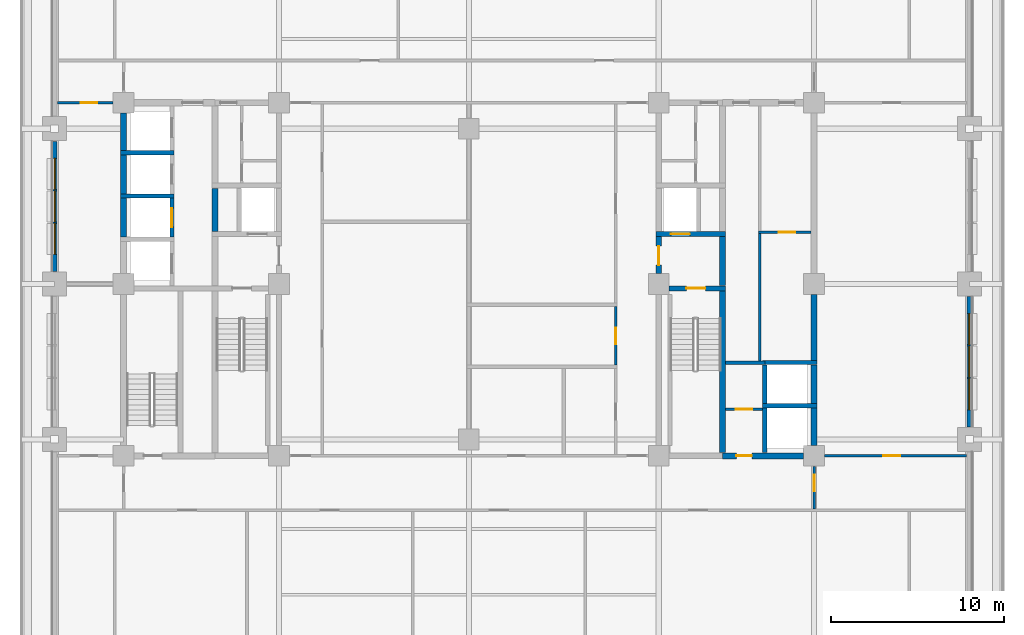
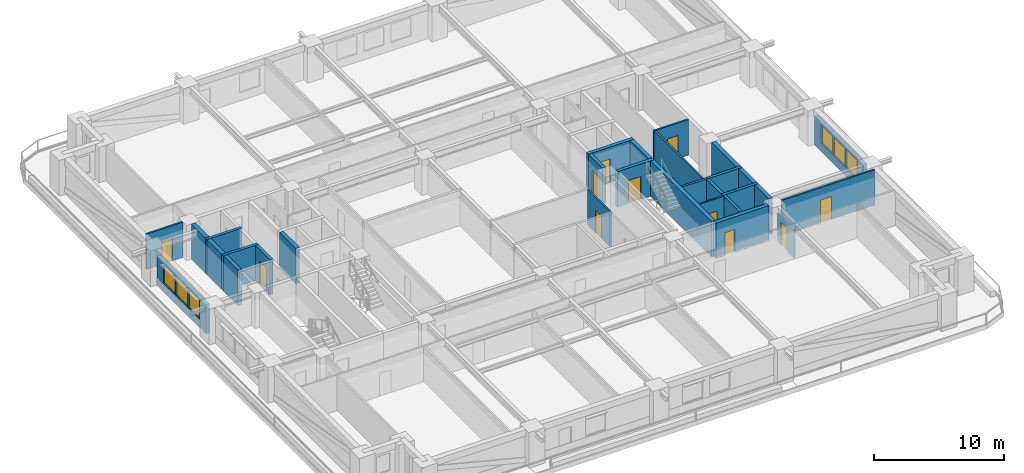
# One storey, part 4 of 14: 30 walls, 11 doors, 6 windows, 17 openings.
"""IFC4 building model written with IfcOpenShell, lengths in metres."""

from ifc_helpers import new_model, si_unit, direction, frame, frame_2d, origin, place, context, subcontext, project, spatial, rectangle, extrude, material, layer, layer_set, type_object, element, fill, save


model = new_model("IFC4")

# Units and contexts
model_context = context("Model", 3, precision=1e-05, world=origin(), true_north=direction((0.0, 1.0)))
body_context = subcontext(model_context, "Body", "Model", "MODEL_VIEW")
ifc_project = project(units=[si_unit("LENGTHUNIT", "METRE"), si_unit("AREAUNIT", "SQUARE_METRE"), si_unit("VOLUMEUNIT", "CUBIC_METRE"), si_unit("PLANEANGLEUNIT", "RADIAN"), si_unit("MASSUNIT", "GRAM", prefix="KILO")], contexts=[model_context])

# Site, building, storey
site_placement = place(None, origin())
site = spatial("IfcSite", under=ifc_project, at=site_placement, CompositionType="ELEMENT")
building_placement = place(site_placement, origin())
building = spatial("IfcBuilding", under=site, at=building_placement, Name="Zulmaris Gate Convention Tower", CompositionType="ELEMENT")
storey_placement = place(building_placement, frame((0.0, 0.0, 41.47998046875)))
storey = spatial("IfcBuildingStorey", under=building, at=storey_placement, Name="L09", CompositionType="ELEMENT", Elevation=41.47998046875)

# Walls
ifc_material_1 = material(Name="Concrete C50/60", Category="concrete")
ifc_layer_1 = layer(ifc_material_1, 0.25, Name="Concrete C50/60")
ifc_layer_set_1 = layer_set([ifc_layer_1], Name="Concrete C50/60")
wall_type_1 = type_object("IfcWallType", Name="CORE-250", PredefinedType="SOLIDWALL", material=ifc_layer_set_1)
for number, where, z_axis, x_axis, name in (
    (1, (17.02490234375, -7.050048828125, 0.0), (0.0, 0.0, 1.0), (1.0, 0.0, 0.0), "WL-L09-005"),
    (2, (17.02490234375, -4.550048828125, 0.0), (0.0, 0.0, 1.0), (1.0, 0.0, 0.0), "WL-L09-006"),
):
    element("IfcWall", number, at=place(storey_placement, frame(where, z_axis=z_axis, x_axis=x_axis)), inside=storey, type_object=wall_type_1, Name=name, PredefinedType="SOLIDWALL", context=body_context, shape_type="SweptSolid", body=[
        extrude(rectangle(XDim=3.150146484375, YDim=0.25, at=frame_2d((1.5751953125, 0.0))), origin(), (0.0, 0.0, 1.0), 3.320068359375),
    ])
for number, where, z_axis, x_axis, name in (
    (3, (-20.175048828125, 5.10009765625, 0.0), (0.0, 0.0, 1.0), (1.0, 0.0, 0.0), "WL-L09-012"),
    (4, (-20.175048828125, 7.60009765625, 0.0), (0.0, 0.0, 1.0), (1.0, 0.0, 0.0), "WL-L09-015"),
):
    element("IfcWall", number, at=place(storey_placement, frame(where, z_axis=z_axis, x_axis=x_axis)), inside=storey, type_object=wall_type_1, Name=name, PredefinedType="SOLIDWALL", context=body_context, shape_type="SweptSolid", body=[
        extrude(rectangle(XDim=3.10009765625, YDim=0.25, at=frame_2d((1.550048828125, 0.0))), origin(), (0.0, 0.0, 1.0), 3.320068359375),
    ])

# Wall, opening, door
wall_1_placement = place(storey_placement, frame((-17.199951171875, 2.72705078125, 0.0), z_axis=(0.0, 0.0, 1.0), x_axis=(0.0, 1.0, 0.0)))
wall_1 = element("IfcWall", 5, at=wall_1_placement, inside=storey, type_object=wall_type_1, Name="WL-L09-043", PredefinedType="SOLIDWALL", context=body_context, shape_type="SweptSolid", body=[
    extrude(rectangle(XDim=2.245849609375, YDim=0.25, at=frame_2d((1.123046875, 0.0))), origin(), (0.0, 0.0, 1.0), 3.320068359375),
])
opening_1_placement = place(wall_1_placement, frame((0.572998046875, 0.0, 0.0)))
opening_1 = element("IfcOpeningElement", 6, at=opening_1_placement, cuts=wall_1, Name="Opening D-06", PredefinedType="OPENING", context=body_context, shape_type="SweptSolid", body=[
    extrude(rectangle(XDim=1.10009765625, YDim=2.199951171875, at=frame_2d((0.550048828125, 1.10009765625))), frame((0.0, 0.135009765625, 0.0), z_axis=(0.0, -1.0, 0.0), x_axis=(1.0, 0.0, 0.0)), (0.0, 0.0, 1.0), 0.27001953125),
])
ifc_material_2 = material(Name="Brushed Stainless Steel", Category="steel")
door_type_1 = type_object("IfcDoorType", Name="LD-1100", OperationType="NOTDEFINED", PredefinedType="DOOR", material=ifc_material_2)
door_1_placement = place(opening_1_placement, origin())
door_1 = element("IfcDoor", 7, at=door_1_placement, inside=storey, type_object=door_type_1, Name="L09 Lift Landing Door LP-02 16", OperationType="SLIDING_TO_LEFT", OverallHeight=2.199951171875, OverallWidth=1.10009765625, PredefinedType="DOOR", context=body_context, shape_type="SweptSolid", body=[
    extrude(rectangle(XDim=1.10009765625, YDim=2.199951171875, at=frame_2d((0.550048828125, 1.10009765625))), frame((0.0, 0.02490234375, 0.0), z_axis=(0.0, -1.0, 0.0), x_axis=(1.0, 0.0, 0.0)), (0.0, 0.0, 1.0), 0.050048828125),
])
fill(opening_1, door_1)

# Walls
wall_2_placement = place(storey_placement, frame((17.14990234375, -9.77294921875, 0.0), z_axis=(0.0, 0.0, 1.0), x_axis=(0.0, 1.0, 0.0)))
element("IfcWall", 8, at=wall_2_placement, inside=storey, type_object=wall_type_1, Name="WL-L09-067", PredefinedType="SOLIDWALL", context=body_context, shape_type="SweptSolid", body=[
    extrude(rectangle(XDim=2.595947265625, YDim=0.25, at=frame_2d((1.2978515625, 0.0))), origin(), (0.0, 0.0, 1.0), 3.320068359375),
])
wall_3_placement = place(storey_placement, frame((17.14990234375, -6.923095703125, 0.0), z_axis=(0.0, 0.0, 1.0), x_axis=(0.0, 1.0, 0.0)))
element("IfcWall", 9, at=wall_3_placement, inside=storey, type_object=wall_type_1, Name="WL-L09-068", PredefinedType="SOLIDWALL", context=body_context, shape_type="SweptSolid", body=[
    extrude(rectangle(XDim=2.24609375, YDim=0.25, at=frame_2d((1.123046875, 0.0))), origin(), (0.0, 0.0, 1.0), 3.320068359375),
])

# Wall, opening, door
ifc_layer_2 = layer(ifc_material_1, 0.300048828125, Name="Concrete C50/60")
ifc_layer_set_2 = layer_set([ifc_layer_2], Name="Concrete C50/60")
wall_type_2 = type_object("IfcWallType", Name="CORE-300", PredefinedType="SHEAR", material=ifc_layer_set_2)
wall_4_placement = place(storey_placement, frame((11.60400390625, -0.25, 0.0), z_axis=(0.0, 0.0, 1.0), x_axis=(1.0, 0.0, 0.0)))
wall_4 = element("IfcWall", 10, at=wall_4_placement, inside=storey, type_object=wall_type_2, Name="WL-L09-008", PredefinedType="SHEAR", context=body_context, shape_type="SweptSolid", body=[
    extrude(rectangle(XDim=3.27099609375, YDim=0.300048828125, at=frame_2d((1.635498046875, 0.0))), origin(), (0.0, 0.0, 1.0), 3.320068359375),
])
opening_2_placement = place(wall_4_placement, frame((0.99609375, 0.0, 0.0)))
opening_2 = element("IfcOpeningElement", 11, at=opening_2_placement, cuts=wall_4, Name="Opening D-08", PredefinedType="OPENING", context=body_context, shape_type="SweptSolid", body=[
    extrude(rectangle(XDim=1.10009765625, YDim=2.14990234375, at=frame_2d((0.550048828125, 1.074951171875))), frame((0.0, 0.16015625, 0.0), z_axis=(0.0, -1.0, 0.0), x_axis=(1.0, 0.0, 0.0)), (0.0, 0.0, 1.0), 0.320068359375),
])
ifc_material_3 = material(Name="Fire-Rated Steel", Category="steel")
door_type_2 = type_object("IfcDoorType", Name="DR-1100-FD", OperationType="NOTDEFINED", PredefinedType="DOOR", material=ifc_material_3)
door_2_placement = place(opening_2_placement, origin())
door_2 = element("IfcDoor", 12, at=door_2_placement, inside=storey, type_object=door_type_2, Name="L09 Exit Stair ST-2 Door 04", OperationType="SINGLE_SWING_RIGHT", OverallHeight=2.14990234375, OverallWidth=1.10009765625, PredefinedType="DOOR", context=body_context, shape_type="SweptSolid", body=[
    extrude(rectangle(XDim=1.10009765625, YDim=2.14990234375, at=frame_2d((0.550048828125, 1.074951171875))), frame((0.0, 0.02490234375, 0.0), z_axis=(0.0, -1.0, 0.0), x_axis=(1.0, 0.0, 0.0)), (0.0, 0.0, 1.0), 0.050048828125),
])
fill(opening_2, door_2)

wall_5_placement = place(storey_placement, frame((10.85009765625, 2.89990234375, 0.0), z_axis=(0.0, 0.0, 1.0), x_axis=(1.0, 0.0, 0.0)))
wall_5 = element("IfcWall", 13, at=wall_5_placement, inside=storey, type_object=wall_type_2, Name="WL-L09-011", PredefinedType="SHEAR", context=body_context, shape_type="SweptSolid", body=[
    extrude(rectangle(XDim=4.02490234375, YDim=0.300048828125, at=frame_2d((2.012451171875, 0.0))), origin(), (0.0, 0.0, 1.0), 3.320068359375),
])
opening_3_placement = place(wall_5_placement, frame((0.85009765625, 0.0, 0.0)))
opening_3 = element("IfcOpeningElement", 14, at=opening_3_placement, cuts=wall_5, Name="Opening D-06", PredefinedType="OPENING", context=body_context, shape_type="SweptSolid", body=[
    extrude(rectangle(XDim=1.10009765625, YDim=2.199951171875, at=frame_2d((0.550048828125, 1.10009765625))), frame((0.0, 0.16015625, 0.0), z_axis=(0.0, -1.0, 0.0), x_axis=(1.0, 0.0, 0.0)), (0.0, 0.0, 1.0), 0.320068359375),
])
door_3_placement = place(opening_3_placement, origin())
door_3 = element("IfcDoor", 15, at=door_3_placement, inside=storey, type_object=door_type_1, Name="L09 Lift Landing Door LF-02 06", OperationType="SLIDING_TO_RIGHT", OverallHeight=2.199951171875, OverallWidth=1.10009765625, PredefinedType="DOOR", context=body_context, shape_type="SweptSolid", body=[
    extrude(rectangle(XDim=1.10009765625, YDim=2.199951171875, at=frame_2d((0.550048828125, 1.10009765625))), frame((0.0, 0.02490234375, 0.0), z_axis=(0.0, -1.0, 0.0), x_axis=(1.0, 0.0, 0.0)), (0.0, 0.0, 1.0), 0.050048828125),
])
fill(opening_3, door_3)

wall_6_placement = place(storey_placement, frame((11.0, 0.60400390625, 0.0), z_axis=(0.0, 0.0, 1.0), x_axis=(0.0, 1.0, 0.0)))
wall_6 = element("IfcWall", 16, at=wall_6_placement, inside=storey, type_object=wall_type_2, Name="WL-L09-058", PredefinedType="SHEAR", context=body_context, shape_type="SweptSolid", body=[
    extrude(rectangle(XDim=2.14404296875, YDim=0.300048828125, at=frame_2d((1.072021484375, 0.0))), origin(), (0.0, 0.0, 1.0), 3.320068359375),
])
opening_4_placement = place(wall_6_placement, frame((0.49609375, 0.0, 0.0)))
opening_4 = element("IfcOpeningElement", 17, at=opening_4_placement, cuts=wall_6, Name="Opening D-08", PredefinedType="OPENING", context=body_context, shape_type="SweptSolid", body=[
    extrude(rectangle(XDim=1.10009765625, YDim=2.14990234375, at=frame_2d((0.550048828125, 1.074951171875))), frame((0.0, 0.16015625, 0.0), z_axis=(0.0, -1.0, 0.0), x_axis=(1.0, 0.0, 0.0)), (0.0, 0.0, 1.0), 0.320068359375),
])
door_4_placement = place(opening_4_placement, origin())
door_4 = element("IfcDoor", 18, at=door_4_placement, inside=storey, type_object=door_type_2, Name="L09 East Firefighting Lobby Door 05", OperationType="SINGLE_SWING_LEFT", OverallHeight=2.14990234375, OverallWidth=1.10009765625, PredefinedType="DOOR", context=body_context, shape_type="SweptSolid", body=[
    extrude(rectangle(XDim=1.10009765625, YDim=2.14990234375, at=frame_2d((0.550048828125, 1.074951171875))), frame((0.0, 0.02490234375, 0.0), z_axis=(0.0, -1.0, 0.0), x_axis=(1.0, 0.0, 0.0)), (0.0, 0.0, 1.0), 0.050048828125),
])
fill(opening_4, door_4)

ifc_material_4 = material(Name="Concrete C55/67", Category="concrete")
ifc_layer_3 = layer(ifc_material_4, 0.35009765625, Name="Concrete C55/67")
ifc_layer_set_3 = layer_set([ifc_layer_3], Name="Concrete C55/67")
wall_type_3 = type_object("IfcWallType", Name="CORE-350", PredefinedType="SHEAR", material=ifc_layer_set_3)
wall_7_placement = place(storey_placement, frame((14.699951171875, -9.949951171875, 0.0), z_axis=(0.0, 0.0, 1.0), x_axis=(1.0, 0.0, 0.0)))
wall_7 = element("IfcWall", 19, at=wall_7_placement, inside=storey, type_object=wall_type_3, Name="WL-L09-004", PredefinedType="SHEAR", context=body_context, shape_type="SweptSolid", body=[
    extrude(rectangle(XDim=4.696044921875, YDim=0.35009765625, at=frame_2d((2.34814453125, 0.0))), origin(), (0.0, 0.0, 1.0), 3.320068359375),
])
opening_5_placement = place(wall_7_placement, frame((0.800048828125, 0.0, 0.0)))
opening_5 = element("IfcOpeningElement", 20, at=opening_5_placement, cuts=wall_7, Name="Opening D-12", PredefinedType="OPENING", context=body_context, shape_type="SweptSolid", body=[
    extrude(rectangle(XDim=0.89990234375, YDim=2.14990234375, at=frame_2d((0.449951171875, 1.074951171875))), frame((0.0, 0.18505859375, 0.0), z_axis=(0.0, -1.0, 0.0), x_axis=(1.0, 0.0, 0.0)), (0.0, 0.0, 1.0), 0.3701171875),
])
ifc_material_5 = material(Name="Fire-Rated Timber", Category="wood")
door_type_3 = type_object("IfcDoorType", Name="DR-900-FD", OperationType="NOTDEFINED", PredefinedType="DOOR", material=ifc_material_5)
door_5_placement = place(opening_5_placement, origin())
door_5 = element("IfcDoor", 21, at=door_5_placement, inside=storey, type_object=door_type_3, Name="L09 East Cleaners Store Door 19", OperationType="SINGLE_SWING_RIGHT", OverallHeight=2.14990234375, OverallWidth=0.89990234375, PredefinedType="DOOR", context=body_context, shape_type="SweptSolid", body=[
    extrude(rectangle(XDim=0.89990234375, YDim=2.14990234375, at=frame_2d((0.449951171875, 1.074951171875))), frame((0.0, 0.02490234375, 0.0), z_axis=(0.0, -1.0, 0.0), x_axis=(1.0, 0.0, 0.0)), (0.0, 0.0, 1.0), 0.050048828125),
])
fill(opening_5, door_5)

# Walls
for number, where, z_axis, x_axis, name in (
    (22, (-20.0, 2.72705078125, 0.0), (0.0, 0.0, 1.0), (0.0, 1.0, 0.0), "WL-L09-039"),
    (23, (-20.0, 5.22705078125, 0.0), (0.0, 0.0, 1.0), (0.0, 1.0, 0.0), "WL-L09-040"),
):
    element("IfcWall", number, at=place(storey_placement, frame(where, z_axis=z_axis, x_axis=x_axis)), inside=storey, type_object=wall_type_3, Name=name, PredefinedType="SHEAR", context=body_context, shape_type="SweptSolid", body=[
        extrude(rectangle(XDim=2.245849609375, YDim=0.35009765625, at=frame_2d((1.123046875, 0.0))), origin(), (0.0, 0.0, 1.0), 3.320068359375),
    ])
wall_8_placement = place(storey_placement, frame((-20.0, 7.72705078125, 0.0), z_axis=(0.0, 0.0, 1.0), x_axis=(0.0, 1.0, 0.0)))
element("IfcWall", 24, at=wall_8_placement, inside=storey, type_object=wall_type_3, Name="WL-L09-041", PredefinedType="SHEAR", context=body_context, shape_type="SweptSolid", body=[
    extrude(rectangle(XDim=2.1689453125, YDim=0.35009765625, at=frame_2d((1.08447265625, 0.0))), origin(), (0.0, 0.0, 1.0), 3.320068359375),
])
wall_9_placement = place(storey_placement, frame((-14.699951171875, 3.052001953125, 0.0), z_axis=(0.0, 0.0, 1.0), x_axis=(0.0, 1.0, 0.0)))
element("IfcWall", 25, at=wall_9_placement, inside=storey, type_object=wall_type_3, Name="WL-L09-049", PredefinedType="SHEAR", context=body_context, shape_type="SweptSolid", body=[
    extrude(rectangle(XDim=2.49609375, YDim=0.35009765625, at=frame_2d((1.248046875, 0.0))), origin(), (0.0, 0.0, 1.0), 3.320068359375),
])
wall_10_placement = place(storey_placement, frame((14.699951171875, -9.77294921875, 0.0), z_axis=(0.0, 0.0, 1.0), x_axis=(0.0, 1.0, 0.0)))
element("IfcWall", 26, at=wall_10_placement, inside=storey, type_object=wall_type_3, Name="WL-L09-063", PredefinedType="SHEAR", context=body_context, shape_type="SweptSolid", body=[
    extrude(rectangle(XDim=9.370849609375, YDim=0.35009765625, at=frame_2d((4.685546875, 0.0))), origin(), (0.0, 0.0, 1.0), 3.320068359375),
])
wall_11_placement = place(storey_placement, frame((14.699951171875, -0.097900390625, 0.0), z_axis=(0.0, 0.0, 1.0), x_axis=(0.0, 1.0, 0.0)))
element("IfcWall", 27, at=wall_11_placement, inside=storey, type_object=wall_type_3, Name="WL-L09-064", PredefinedType="SHEAR", context=body_context, shape_type="SweptSolid", body=[
    extrude(rectangle(XDim=2.845947265625, YDim=0.35009765625, at=frame_2d((1.4228515625, 0.0))), origin(), (0.0, 0.0, 1.0), 3.320068359375),
])
wall_12_placement = place(storey_placement, frame((20.0, -9.345947265625, 0.0), z_axis=(0.0, 0.0, 1.0), x_axis=(0.0, 1.0, 0.0)))
element("IfcWall", 28, at=wall_12_placement, inside=storey, type_object=wall_type_3, Name="WL-L09-069", PredefinedType="SHEAR", context=body_context, shape_type="SweptSolid", body=[
    extrude(rectangle(XDim=2.1689453125, YDim=0.35009765625, at=frame_2d((1.08447265625, 0.0))), origin(), (0.0, 0.0, 1.0), 3.320068359375),
])
wall_13_placement = place(storey_placement, frame((20.0, -6.923095703125, 0.0), z_axis=(0.0, 0.0, 1.0), x_axis=(0.0, 1.0, 0.0)))
element("IfcWall", 29, at=wall_13_placement, inside=storey, type_object=wall_type_3, Name="WL-L09-070", PredefinedType="SHEAR", context=body_context, shape_type="SweptSolid", body=[
    extrude(rectangle(XDim=2.24609375, YDim=0.35009765625, at=frame_2d((1.123046875, 0.0))), origin(), (0.0, 0.0, 1.0), 3.320068359375),
])
wall_14_placement = place(storey_placement, frame((20.0, -4.423095703125, 0.0), z_axis=(0.0, 0.0, 1.0), x_axis=(0.0, 1.0, 0.0)))
element("IfcWall", 30, at=wall_14_placement, inside=storey, type_object=wall_type_3, Name="WL-L09-071", PredefinedType="SHEAR", context=body_context, shape_type="SweptSolid", body=[
    extrude(rectangle(XDim=3.819091796875, YDim=0.35009765625, at=frame_2d((1.90966796875, 0.0))), origin(), (0.0, 0.0, 1.0), 3.320068359375),
])

# Wall, opening, door
ifc_material_6 = material(Name="Gypsum Metal Stud Partition")
ifc_layer_4 = layer(ifc_material_6, 0.14990234375, Name="Gypsum Metal Stud Partition")
ifc_layer_set_4 = layer_set([ifc_layer_4], Name="Gypsum Metal Stud Partition")
wall_type_4 = type_object("IfcWallType", Name="PART-150", PredefinedType="PARTITIONING", material=ifc_layer_set_4)
wall_15_placement = place(storey_placement, frame((20.60595703125, -9.949951171875, 0.0), z_axis=(0.0, 0.0, 1.0), x_axis=(1.0, 0.0, 0.0)))
wall_15 = element("IfcWall", 31, at=wall_15_placement, inside=storey, type_object=wall_type_4, Name="WL-L09-023", PredefinedType="PARTITIONING", context=body_context, shape_type="SweptSolid", body=[
    extrude(rectangle(XDim=8.22900390625, YDim=0.14990234375, at=frame_2d((4.114501953125, 0.0))), origin(), (0.0, 0.0, 1.0), 3.320068359375),
])
opening_6_placement = place(wall_15_placement, frame((3.39404296875, 0.0, 0.0)))
opening_6 = element("IfcOpeningElement", 32, at=opening_6_placement, cuts=wall_15, Name="Opening D-10", PredefinedType="OPENING", context=body_context, shape_type="SweptSolid", body=[
    extrude(rectangle(XDim=1.0, YDim=2.14990234375, at=frame_2d((0.5, 1.074951171875))), frame((0.0, 0.0849609375, 0.0), z_axis=(0.0, -1.0, 0.0), x_axis=(1.0, 0.0, 0.0)), (0.0, 0.0, 1.0), 0.169921875),
])
door_type_4 = type_object("IfcDoorType", Name="DR-1000-FD", OperationType="NOTDEFINED", PredefinedType="DOOR", material=ifc_material_5)
door_6_placement = place(opening_6_placement, origin())
door_6 = element("IfcDoor", 33, at=door_6_placement, inside=storey, type_object=door_type_4, Name="L09 East Workplace South Door 47", OperationType="SINGLE_SWING_RIGHT", OverallHeight=2.14990234375, OverallWidth=1.0, PredefinedType="DOOR", context=body_context, shape_type="SweptSolid", body=[
    extrude(rectangle(XDim=1.0, YDim=2.14990234375, at=frame_2d((0.5, 1.074951171875))), frame((0.0, 0.02490234375, 0.0), z_axis=(0.0, -1.0, 0.0), x_axis=(1.0, 0.0, 0.0)), (0.0, 0.0, 1.0), 0.050048828125),
])
fill(opening_6, door_6)

wall_16_placement = place(storey_placement, frame((14.8779296875, -7.25, 0.0), z_axis=(0.0, 0.0, 1.0), x_axis=(1.0, 0.0, 0.0)))
wall_16 = element("IfcWall", 34, at=wall_16_placement, inside=storey, type_object=wall_type_4, Name="WL-L09-024", PredefinedType="PARTITIONING", context=body_context, shape_type="SweptSolid", body=[
    extrude(rectangle(XDim=2.14404296875, YDim=0.14990234375, at=frame_2d((1.072021484375, 0.0))), origin(), (0.0, 0.0, 1.0), 3.320068359375),
])
opening_7_placement = place(wall_16_placement, frame((0.596923828125, 0.0, 0.0)))
opening_7 = element("IfcOpeningElement", 35, at=opening_7_placement, cuts=wall_16, Name="Opening D-11", PredefinedType="OPENING", context=body_context, shape_type="SweptSolid", body=[
    extrude(rectangle(XDim=0.949951171875, YDim=2.14990234375, at=frame_2d((0.47509765625, 1.074951171875))), frame((0.0, 0.0849609375, 0.0), z_axis=(0.0, -1.0, 0.0), x_axis=(1.0, 0.0, 0.0)), (0.0, 0.0, 1.0), 0.169921875),
])
door_type_5 = type_object("IfcDoorType", Name="DR-950-FD", OperationType="NOTDEFINED", PredefinedType="DOOR", material=ifc_material_5)
door_7_placement = place(opening_7_placement, origin())
door_7 = element("IfcDoor", 36, at=door_7_placement, inside=storey, type_object=door_type_5, Name="L09 East Meter Store Door 20", OperationType="SINGLE_SWING_LEFT", OverallHeight=2.14990234375, OverallWidth=0.949951171875, PredefinedType="DOOR", context=body_context, shape_type="SweptSolid", body=[
    extrude(rectangle(XDim=0.949951171875, YDim=2.14990234375, at=frame_2d((0.47509765625, 1.074951171875))), frame((0.0, 0.02490234375, 0.0), z_axis=(0.0, -1.0, 0.0), x_axis=(1.0, 0.0, 0.0)), (0.0, 0.0, 1.0), 0.050048828125),
])
fill(opening_7, door_7)

wall_17_placement = place(storey_placement, frame((16.77490234375, 3.0, 0.0), z_axis=(0.0, 0.0, 1.0), x_axis=(1.0, 0.0, 0.0)))
wall_17 = element("IfcWall", 37, at=wall_17_placement, inside=storey, type_object=wall_type_4, Name="WL-L09-029", PredefinedType="PARTITIONING", context=body_context, shape_type="SweptSolid", body=[
    extrude(rectangle(XDim=3.047119140625, YDim=0.14990234375, at=frame_2d((1.5234375, 0.0))), origin(), (0.0, 0.0, 1.0), 3.320068359375),
])
opening_8_placement = place(wall_17_placement, frame((1.169921875, 0.0, 0.0)))
opening_8 = element("IfcOpeningElement", 38, at=opening_8_placement, cuts=wall_17, Name="Opening D-11", PredefinedType="OPENING", context=body_context, shape_type="SweptSolid", body=[
    extrude(rectangle(XDim=0.949951171875, YDim=2.14990234375, at=frame_2d((0.47509765625, 1.074951171875))), frame((0.0, 0.0849609375, 0.0), z_axis=(0.0, -1.0, 0.0), x_axis=(1.0, 0.0, 0.0)), (0.0, 0.0, 1.0), 0.169921875),
])
door_8_placement = place(opening_8_placement, origin())
door_8 = element("IfcDoor", 39, at=door_8_placement, inside=storey, type_object=door_type_5, Name="L09 East Equipment Door 23", OperationType="SINGLE_SWING_RIGHT", OverallHeight=2.14990234375, OverallWidth=0.949951171875, PredefinedType="DOOR", context=body_context, shape_type="SweptSolid", body=[
    extrude(rectangle(XDim=0.949951171875, YDim=2.14990234375, at=frame_2d((0.47509765625, 1.074951171875))), frame((0.0, 0.02490234375, 0.0), z_axis=(0.0, -1.0, 0.0), x_axis=(1.0, 0.0, 0.0)), (0.0, 0.0, 1.0), 0.050048828125),
])
fill(opening_8, door_8)

wall_18_placement = place(storey_placement, frame((-23.8349609375, 10.5, 0.0), z_axis=(0.0, 0.0, 1.0), x_axis=(1.0, 0.0, 0.0)))
wall_18 = element("IfcWall", 40, at=wall_18_placement, inside=storey, type_object=wall_type_4, Name="WL-L09-033", PredefinedType="PARTITIONING", context=body_context, shape_type="SweptSolid", body=[
    extrude(rectangle(XDim=3.22900390625, YDim=0.14990234375, at=frame_2d((1.614501953125, 0.0))), origin(), (0.0, 0.0, 1.0), 3.320068359375),
])
opening_9_placement = place(wall_18_placement, frame((1.360107421875, 0.0, 0.0)))
opening_9 = element("IfcOpeningElement", 41, at=opening_9_placement, cuts=wall_18, Name="Opening D-11", PredefinedType="OPENING", context=body_context, shape_type="SweptSolid", body=[
    extrude(rectangle(XDim=0.949951171875, YDim=2.14990234375, at=frame_2d((0.47509765625, 1.074951171875))), frame((0.0, 0.0849609375, 0.0), z_axis=(0.0, -1.0, 0.0), x_axis=(1.0, 0.0, 0.0)), (0.0, 0.0, 1.0), 0.169921875),
])
door_9_placement = place(opening_9_placement, origin())
door_9 = element("IfcDoor", 42, at=door_9_placement, inside=storey, type_object=door_type_5, Name="L09 NW Partner Door 42", OperationType="SINGLE_SWING_LEFT", OverallHeight=2.14990234375, OverallWidth=0.949951171875, PredefinedType="DOOR", context=body_context, shape_type="SweptSolid", body=[
    extrude(rectangle(XDim=0.949951171875, YDim=2.14990234375, at=frame_2d((0.47509765625, 1.074951171875))), frame((0.0, 0.02490234375, 0.0), z_axis=(0.0, -1.0, 0.0), x_axis=(1.0, 0.0, 0.0)), (0.0, 0.0, 1.0), 0.050048828125),
])
fill(opening_9, door_9)

wall_19_placement = place(storey_placement, frame((8.5, -4.697021484375, 0.0), z_axis=(0.0, 0.0, 1.0), x_axis=(0.0, 1.0, 0.0)))
wall_19 = element("IfcWall", 43, at=wall_19_placement, inside=storey, type_object=wall_type_4, Name="WL-L09-090", PredefinedType="PARTITIONING", context=body_context, shape_type="SweptSolid", body=[
    extrude(rectangle(XDim=3.39404296875, YDim=0.14990234375, at=frame_2d((1.697021484375, 0.0))), origin(), (0.0, 0.0, 1.0), 3.320068359375),
])
opening_10_placement = place(wall_19_placement, frame((1.221923828125, 0.0, 0.0)))
opening_10 = element("IfcOpeningElement", 44, at=opening_10_placement, cuts=wall_19, Name="Opening D-11", PredefinedType="OPENING", context=body_context, shape_type="SweptSolid", body=[
    extrude(rectangle(XDim=0.949951171875, YDim=2.14990234375, at=frame_2d((0.47509765625, 1.074951171875))), frame((0.0, 0.0849609375, 0.0), z_axis=(0.0, -1.0, 0.0), x_axis=(1.0, 0.0, 0.0)), (0.0, 0.0, 1.0), 0.169921875),
])
door_10_placement = place(opening_10_placement, origin())
door_10 = element("IfcDoor", 45, at=door_10_placement, inside=storey, type_object=door_type_5, Name="L09 Public WC Door 37", OperationType="SINGLE_SWING_RIGHT", OverallHeight=2.14990234375, OverallWidth=0.949951171875, PredefinedType="DOOR", context=body_context, shape_type="SweptSolid", body=[
    extrude(rectangle(XDim=0.949951171875, YDim=2.14990234375, at=frame_2d((0.47509765625, 1.074951171875))), frame((0.0, 0.02490234375, 0.0), z_axis=(0.0, -1.0, 0.0), x_axis=(1.0, 0.0, 0.0)), (0.0, 0.0, 1.0), 0.050048828125),
])
fill(opening_10, door_10)

# Wall
wall_20_placement = place(storey_placement, frame((16.85009765625, -4.447021484375, 0.0), z_axis=(0.0, 0.0, 1.0), x_axis=(0.0, 1.0, 0.0)))
element("IfcWall", 46, at=wall_20_placement, inside=storey, type_object=wall_type_4, Name="WL-L09-094", PredefinedType="PARTITIONING", context=body_context, shape_type="SweptSolid", body=[
    extrude(rectangle(XDim=7.369140625, YDim=0.14990234375, at=frame_2d((3.6845703125, 0.0))), origin(), (0.0, 0.0, 1.0), 3.320068359375),
])

# Wall, opening, door
wall_21_placement = place(storey_placement, frame((20.0, -13.02197265625, 0.0), z_axis=(0.0, 0.0, 1.0), x_axis=(0.0, 1.0, 0.0)))
wall_21 = element("IfcWall", 47, at=wall_21_placement, inside=storey, type_object=wall_type_4, Name="WL-L09-096", PredefinedType="PARTITIONING", context=body_context, shape_type="SweptSolid", body=[
    extrude(rectangle(XDim=2.466064453125, YDim=0.14990234375, at=frame_2d((1.23291015625, 0.0))), origin(), (0.0, 0.0, 1.0), 2.659912109375),
])
opening_11_placement = place(wall_21_placement, frame((1.027099609375, 0.0, 0.0)))
opening_11 = element("IfcOpeningElement", 48, at=opening_11_placement, cuts=wall_21, Name="Opening D-11", PredefinedType="OPENING", context=body_context, shape_type="SweptSolid", body=[
    extrude(rectangle(XDim=0.949951171875, YDim=2.14990234375, at=frame_2d((0.47509765625, 1.074951171875))), frame((0.0, 0.0849609375, 0.0), z_axis=(0.0, -1.0, 0.0), x_axis=(1.0, 0.0, 0.0)), (0.0, 0.0, 1.0), 0.169921875),
])
door_11_placement = place(opening_11_placement, origin())
door_11 = element("IfcDoor", 49, at=door_11_placement, inside=storey, type_object=door_type_5, Name="L09 SE Spur Door 45", OperationType="SINGLE_SWING_RIGHT", OverallHeight=2.14990234375, OverallWidth=0.949951171875, PredefinedType="DOOR", context=body_context, shape_type="SweptSolid", body=[
    extrude(rectangle(XDim=0.949951171875, YDim=2.14990234375, at=frame_2d((0.47509765625, 1.074951171875))), frame((0.0, 0.02490234375, 0.0), z_axis=(0.0, -1.0, 0.0), x_axis=(1.0, 0.0, 0.0)), (0.0, 0.0, 1.0), 0.050048828125),
])
fill(opening_11, door_11)

# Wall
ifc_material_7 = material(Name="Autoclaved Aerated Concrete Block and Plasterboard", Category="concrete")
ifc_layer_5 = layer(ifc_material_7, 0.199951171875, Name="Autoclaved Aerated Concrete Block and Plasterboard")
ifc_layer_set_5 = layer_set([ifc_layer_5], Name="Autoclaved Aerated Concrete Block and Plasterboard")
wall_type_5 = type_object("IfcWallType", Name="PART-200", PredefinedType="PARTITIONING", material=ifc_layer_set_5)
wall_22_placement = place(storey_placement, frame((14.8779296875, -4.550048828125, 0.0), z_axis=(0.0, 0.0, 1.0), x_axis=(1.0, 0.0, 0.0)))
element("IfcWall", 50, at=wall_22_placement, inside=storey, type_object=wall_type_5, Name="WL-L09-026", PredefinedType="PARTITIONING", context=body_context, shape_type="SweptSolid", body=[
    extrude(rectangle(XDim=2.27197265625, YDim=0.199951171875, at=frame_2d((1.135986328125, 0.0))), origin(), (0.0, 0.0, 1.0), 3.320068359375),
])

# Wall, openings, windows
ifc_material_8 = material(Name="Precast concrete C40/50", Category="concrete")
ifc_layer_6 = layer(ifc_material_8, 0.300048828125, Name="Precast concrete C40/50")
ifc_layer_set_6 = layer_set([ifc_layer_6], Name="Precast concrete C40/50")
wall_type_6 = type_object("IfcWallType", Name="PRECAST-PIER-300", PredefinedType="STANDARD", material=ifc_layer_set_6)
wall_23_placement = place(storey_placement, frame((29.0, -8.27001953125, 0.0), z_axis=(0.0, 0.0, 1.0), x_axis=(0.0, 1.0, 0.0)))
wall_23 = element("IfcWall", 51, at=wall_23_placement, inside=storey, type_object=wall_type_6, Name="EW-L09-E-1_0", PredefinedType="STANDARD", context=body_context, shape_type="SweptSolid", body=[
    extrude(rectangle(XDim=7.5400390625, YDim=0.300048828125, at=frame_2d((3.77001953125, 0.0))), origin(), (0.0, 0.0, 1.0), 2.7119140625),
])
opening_12_placement = place(wall_23_placement, frame((0.985107421875, 0.0, 0.780029296875)))
opening_12 = element("IfcOpeningElement", 52, at=opening_12_placement, cuts=wall_23, Name="Opening W-02", PredefinedType="OPENING", context=body_context, shape_type="SweptSolid", body=[
    extrude(rectangle(XDim=1.800048828125, YDim=1.719970703125, at=frame_2d((0.89990234375, 0.85986328125))), frame((0.0, 0.16015625, 0.0), z_axis=(0.0, -1.0, 0.0), x_axis=(1.0, 0.0, 0.0)), (0.0, 0.0, 1.0), 0.320068359375),
])
opening_13_placement = place(wall_23_placement, frame((2.8701171875, 0.0, 0.780029296875)))
opening_13 = element("IfcOpeningElement", 53, at=opening_13_placement, cuts=wall_23, Name="Opening W-02", PredefinedType="OPENING", context=body_context, shape_type="SweptSolid", body=[
    extrude(rectangle(XDim=1.800048828125, YDim=1.719970703125, at=frame_2d((0.89990234375, 0.85986328125))), frame((0.0, 0.16015625, 0.0), z_axis=(0.0, -1.0, 0.0), x_axis=(1.0, 0.0, 0.0)), (0.0, 0.0, 1.0), 0.320068359375),
])
opening_14_placement = place(wall_23_placement, frame((4.7548828125, 0.0, 0.780029296875)))
opening_14 = element("IfcOpeningElement", 54, at=opening_14_placement, cuts=wall_23, Name="Opening W-02", PredefinedType="OPENING", context=body_context, shape_type="SweptSolid", body=[
    extrude(rectangle(XDim=1.800048828125, YDim=1.719970703125, at=frame_2d((0.89990234375, 0.85986328125))), frame((0.0, 0.16015625, 0.0), z_axis=(0.0, -1.0, 0.0), x_axis=(1.0, 0.0, 0.0)), (0.0, 0.0, 1.0), 0.320068359375),
])
ifc_material_9 = material(Name="Low-E Laminated Double Glazing in Aluminium Frame", Category="aluminium")
window_type = type_object("IfcWindowType", Name="WIN-1800x2200", PartitioningType="SINGLE_PANEL", PredefinedType="WINDOW", material=ifc_material_9)
window_1_placement = place(opening_12_placement, origin())
window_1 = element("IfcWindow", 55, at=window_1_placement, inside=storey, type_object=window_type, Name="WN-EW-L09-E-1_0-1", OverallHeight=1.719970703125, OverallWidth=1.800048828125, PartitioningType="SINGLE_PANEL", PredefinedType="WINDOW", context=body_context, shape_type="SweptSolid", body=[
    extrude(rectangle(XDim=1.800048828125, YDim=1.719970703125, at=frame_2d((0.89990234375, 0.85986328125))), frame((0.0, 0.030029296875, 0.0), z_axis=(0.0, -1.0, 0.0), x_axis=(1.0, 0.0, 0.0)), (0.0, 0.0, 1.0), 0.06005859375),
])
fill(opening_12, window_1)
window_2_placement = place(opening_13_placement, origin())
window_2 = element("IfcWindow", 56, at=window_2_placement, inside=storey, type_object=window_type, Name="WN-EW-L09-E-1_0-2", OverallHeight=1.719970703125, OverallWidth=1.800048828125, PartitioningType="SINGLE_PANEL", PredefinedType="WINDOW", context=body_context, shape_type="SweptSolid", body=[
    extrude(rectangle(XDim=1.800048828125, YDim=1.719970703125, at=frame_2d((0.89990234375, 0.85986328125))), frame((0.0, 0.030029296875, 0.0), z_axis=(0.0, -1.0, 0.0), x_axis=(1.0, 0.0, 0.0)), (0.0, 0.0, 1.0), 0.06005859375),
])
fill(opening_13, window_2)
window_3_placement = place(opening_14_placement, origin())
window_3 = element("IfcWindow", 57, at=window_3_placement, inside=storey, type_object=window_type, Name="WN-EW-L09-E-1_0-3", OverallHeight=1.719970703125, OverallWidth=1.800048828125, PartitioningType="SINGLE_PANEL", PredefinedType="WINDOW", context=body_context, shape_type="SweptSolid", body=[
    extrude(rectangle(XDim=1.800048828125, YDim=1.719970703125, at=frame_2d((0.89990234375, 0.85986328125))), frame((0.0, 0.030029296875, 0.0), z_axis=(0.0, -1.0, 0.0), x_axis=(1.0, 0.0, 0.0)), (0.0, 0.0, 1.0), 0.06005859375),
])
fill(opening_14, window_3)

wall_24_placement = place(storey_placement, frame((-24.0, 8.27001953125, 0.0), z_axis=(0.0, 0.0, 1.0), x_axis=(0.0, -1.0, 0.0)))
wall_24 = element("IfcWall", 58, at=wall_24_placement, inside=storey, type_object=wall_type_6, Name="EW-L09-W-2_0", PredefinedType="STANDARD", context=body_context, shape_type="SweptSolid", body=[
    extrude(rectangle(XDim=7.5400390625, YDim=0.300048828125, at=frame_2d((3.77001953125, 0.0))), origin(), (0.0, 0.0, 1.0), 2.7119140625),
])
opening_15_placement = place(wall_24_placement, frame((0.985107421875, 0.0, 0.780029296875)))
opening_15 = element("IfcOpeningElement", 59, at=opening_15_placement, cuts=wall_24, Name="Opening W-02", PredefinedType="OPENING", context=body_context, shape_type="SweptSolid", body=[
    extrude(rectangle(XDim=1.800048828125, YDim=1.719970703125, at=frame_2d((0.89990234375, 0.85986328125))), frame((0.0, 0.16015625, 0.0), z_axis=(0.0, -1.0, 0.0), x_axis=(1.0, 0.0, 0.0)), (0.0, 0.0, 1.0), 0.320068359375),
])
opening_16_placement = place(wall_24_placement, frame((2.8701171875, 0.0, 0.780029296875)))
opening_16 = element("IfcOpeningElement", 60, at=opening_16_placement, cuts=wall_24, Name="Opening W-02", PredefinedType="OPENING", context=body_context, shape_type="SweptSolid", body=[
    extrude(rectangle(XDim=1.800048828125, YDim=1.719970703125, at=frame_2d((0.89990234375, 0.85986328125))), frame((0.0, 0.16015625, 0.0), z_axis=(0.0, -1.0, 0.0), x_axis=(1.0, 0.0, 0.0)), (0.0, 0.0, 1.0), 0.320068359375),
])
opening_17_placement = place(wall_24_placement, frame((4.7548828125, 0.0, 0.780029296875)))
opening_17 = element("IfcOpeningElement", 61, at=opening_17_placement, cuts=wall_24, Name="Opening W-02", PredefinedType="OPENING", context=body_context, shape_type="SweptSolid", body=[
    extrude(rectangle(XDim=1.800048828125, YDim=1.719970703125, at=frame_2d((0.89990234375, 0.85986328125))), frame((0.0, 0.16015625, 0.0), z_axis=(0.0, -1.0, 0.0), x_axis=(1.0, 0.0, 0.0)), (0.0, 0.0, 1.0), 0.320068359375),
])
window_4_placement = place(opening_15_placement, origin())
window_4 = element("IfcWindow", 62, at=window_4_placement, inside=storey, type_object=window_type, Name="WN-EW-L09-W-2_0-1", OverallHeight=1.719970703125, OverallWidth=1.800048828125, PartitioningType="SINGLE_PANEL", PredefinedType="WINDOW", context=body_context, shape_type="SweptSolid", body=[
    extrude(rectangle(XDim=1.800048828125, YDim=1.719970703125, at=frame_2d((0.89990234375, 0.85986328125))), frame((0.0, 0.030029296875, 0.0), z_axis=(0.0, -1.0, 0.0), x_axis=(1.0, 0.0, 0.0)), (0.0, 0.0, 1.0), 0.06005859375),
])
fill(opening_15, window_4)
window_5_placement = place(opening_16_placement, origin())
window_5 = element("IfcWindow", 63, at=window_5_placement, inside=storey, type_object=window_type, Name="WN-EW-L09-W-2_0-2", OverallHeight=1.719970703125, OverallWidth=1.800048828125, PartitioningType="SINGLE_PANEL", PredefinedType="WINDOW", context=body_context, shape_type="SweptSolid", body=[
    extrude(rectangle(XDim=1.800048828125, YDim=1.719970703125, at=frame_2d((0.89990234375, 0.85986328125))), frame((0.0, 0.030029296875, 0.0), z_axis=(0.0, -1.0, 0.0), x_axis=(1.0, 0.0, 0.0)), (0.0, 0.0, 1.0), 0.06005859375),
])
fill(opening_16, window_5)
window_6_placement = place(opening_17_placement, origin())
window_6 = element("IfcWindow", 64, at=window_6_placement, inside=storey, type_object=window_type, Name="WN-EW-L09-W-2_0-3", OverallHeight=1.719970703125, OverallWidth=1.800048828125, PartitioningType="SINGLE_PANEL", PredefinedType="WINDOW", context=body_context, shape_type="SweptSolid", body=[
    extrude(rectangle(XDim=1.800048828125, YDim=1.719970703125, at=frame_2d((0.89990234375, 0.85986328125))), frame((0.0, 0.030029296875, 0.0), z_axis=(0.0, -1.0, 0.0), x_axis=(1.0, 0.0, 0.0)), (0.0, 0.0, 1.0), 0.06005859375),
])
fill(opening_17, window_6)

save(model, "model.ifc")
